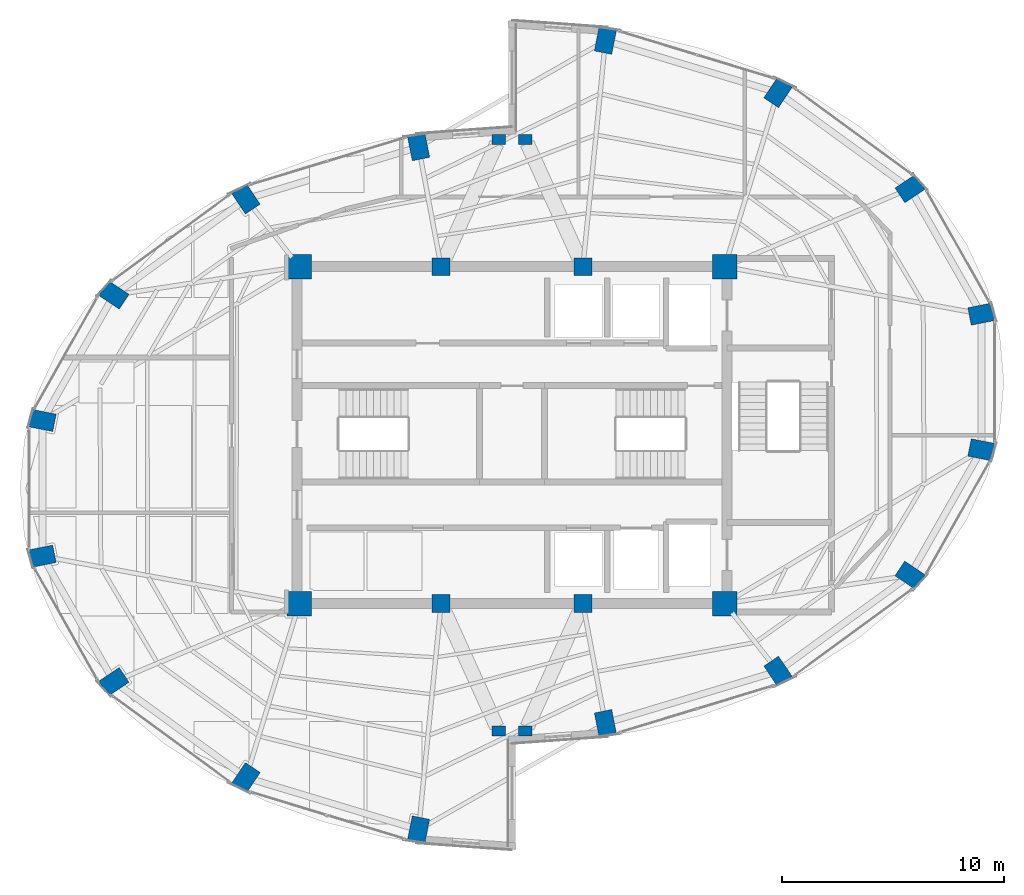
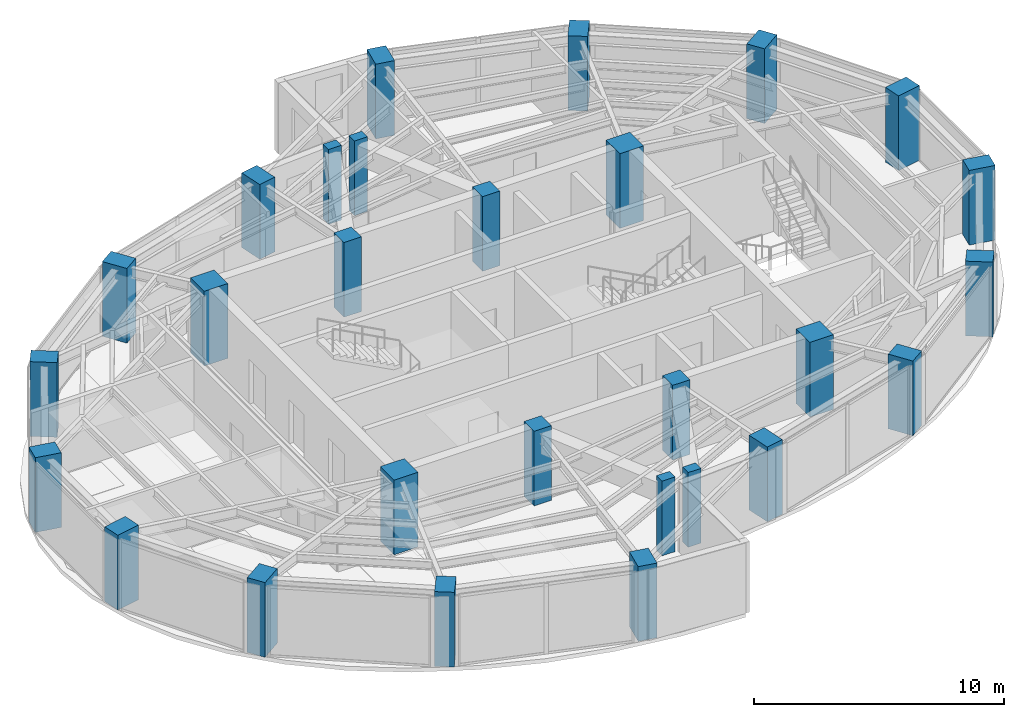
# One storey, part 1 of 22: 28 columns.
"""IFC4 building model written with IfcOpenShell, lengths in metres."""

from ifc_helpers import new_model, si_unit, direction, frame, origin, origin_2d, place, context, subcontext, project, spatial, rectangle, extrude, material, material_profile, profile_set, type_object, element, save


model = new_model("IFC4")

# Units and contexts
model_context = context("Model", 3, precision=1e-05, world=origin(), true_north=direction((0.0, 1.0)))
body_context = subcontext(model_context, "Body", "Model", "MODEL_VIEW")
ifc_project = project(units=[si_unit("LENGTHUNIT", "METRE"), si_unit("AREAUNIT", "SQUARE_METRE"), si_unit("VOLUMEUNIT", "CUBIC_METRE"), si_unit("PLANEANGLEUNIT", "RADIAN"), si_unit("MASSUNIT", "GRAM", prefix="KILO")], contexts=[model_context])

# Site, building, storey
site_placement = place(None, origin())
site = spatial("IfcSite", under=ifc_project, at=site_placement, CompositionType="ELEMENT")
building_placement = place(site_placement, origin())
building = spatial("IfcBuilding", under=site, at=building_placement, Name="Lazwardi Medical Tower", CompositionType="ELEMENT")
storey_placement = place(building_placement, frame((0.0, 0.0, 238.60791015625)))
storey = spatial("IfcBuildingStorey", under=building, at=storey_placement, Name="L62", CompositionType="ELEMENT", Elevation=238.60791015625)

# Columns
ifc_material_1 = material(Name="Concrete C80/95", Category="concrete")
ifc_material_profile_1 = material_profile(ifc_material_1, rectangle(XDim=1.10009765625, YDim=1.10009765625, at=origin_2d()), Name="RC 1100x1100")
ifc_profile_set_1 = profile_set([ifc_material_profile_1], Name="Concrete C80/95")
column_type_1 = type_object("IfcColumnType", Name="COL-CC-L", PredefinedType="COLUMN", material=ifc_profile_set_1)
for number, where, z_axis, x_axis, name in (
    (1, (26.39990234375, 20.39990234375, 0.0), (0.0, 0.0, 1.0), (1.0, 0.0, 0.0), "Core column CC-01 CC1 L62"),
    (2, (45.60009765625, 20.39990234375, 0.0), (0.0, 0.0, 1.0), (1.0, 0.0, 0.0), "Core column CC-01 CC4 L62"),
    (3, (45.60009765625, 35.60009765625, 0.0), (0.0, 0.0, 1.0), (1.0, 0.0, 0.0), "Core column CC-01 CC5 L62"),
    (4, (26.39990234375, 35.60009765625, 0.0), (0.0, 0.0, 1.0), (1.0, 0.0, 0.0), "Core column CC-01 CC8 L62"),
):
    element("IfcColumn", number, at=place(storey_placement, frame(where, z_axis=z_axis, x_axis=x_axis)), inside=storey, type_object=column_type_1, Name=name, PredefinedType="COLUMN", context=body_context, shape_type="SweptSolid", body=[
        extrude(rectangle(XDim=1.10009765625, YDim=1.10009765625, at=origin_2d()), origin(), (0.0, 0.0, 1.0), 3.648193359375),
    ])
ifc_material_2 = material(Name="Concrete C60/75", Category="concrete")
ifc_material_profile_2 = material_profile(ifc_material_2, rectangle(XDim=0.800048828125, YDim=0.800048828125, at=origin_2d()), Name="RC 800x800")
ifc_profile_set_2 = profile_set([ifc_material_profile_2], Name="Concrete C60/75")
column_type_2 = type_object("IfcColumnType", Name="COL-CC-U", PredefinedType="COLUMN", material=ifc_profile_set_2)
for number, where, z_axis, x_axis, name in (
    (5, (32.800048828125, 20.39990234375, 0.0), (0.0, 0.0, 1.0), (1.0, 0.0, 0.0), "Core column CC-03 CC2 L62"),
    (6, (39.199951171875, 20.39990234375, 0.0), (0.0, 0.0, 1.0), (1.0, 0.0, 0.0), "Core column CC-03 CC3 L62"),
    (7, (39.199951171875, 35.60009765625, 0.0), (0.0, 0.0, 1.0), (1.0, 0.0, 0.0), "Core column CC-03 CC6 L62"),
    (8, (32.800048828125, 35.60009765625, 0.0), (0.0, 0.0, 1.0), (1.0, 0.0, 0.0), "Core column CC-03 CC7 L62"),
):
    element("IfcColumn", number, at=place(storey_placement, frame(where, z_axis=z_axis, x_axis=x_axis)), inside=storey, type_object=column_type_2, Name=name, PredefinedType="COLUMN", context=body_context, shape_type="SweptSolid", body=[
        extrude(rectangle(XDim=0.800048828125, YDim=0.800048828125, at=origin_2d()), origin(), (0.0, 0.0, 1.0), 3.648193359375),
    ])
ifc_material_profile_3 = material_profile(ifc_material_2, rectangle(XDim=1.10009765625, YDim=0.800048828125, at=origin_2d()), Name="CFT-RECT 1100x800")
ifc_profile_set_3 = profile_set([ifc_material_profile_3], Name="Concrete C60/75")
column_type_3 = type_object("IfcColumnType", Name="COL-MC-Z4", PredefinedType="COLUMN", material=ifc_profile_set_3)
for number, where, z_axis, x_axis, name in (
    (9, (40.214111328125, 15.001708984375, 0.0), (0.0, 0.0, 1.0), (0.195090322016, -0.980785280403, 0.0), "Mega column MC-06 M01 L62"),
    (10, (48.000244140625, 17.345947265625, 0.0), (0.0, 0.0, 1.0), (0.55557023302, -0.831469612303, 0.0), "Mega column MC-06 M02 L62"),
    (11, (53.959716796875, 21.677490234375, 0.0), (0.0, 0.0, 1.0), (0.831469612303, -0.55557023302, 0.0), "Mega column MC-06 M03 L62"),
    (12, (57.18505859375, 27.337158203125, 0.0), (0.0, 0.0, 1.0), (0.980785280403, -0.195090322016, 0.0), "Mega column MC-06 M04 L62"),
    (13, (57.18505859375, 33.462890625, 0.0), (0.0, 0.0, 1.0), (0.980785280403, 0.195090322016, 0.0), "Mega column MC-06 M05 L62"),
    (14, (53.959716796875, 39.12255859375, 0.0), (0.0, 0.0, 1.0), (0.831469612303, 0.55557023302, 0.0), "Mega column MC-06 M06 L62"),
    (15, (48.000244140625, 43.4541015625, 0.0), (0.0, 0.0, 1.0), (0.55557023302, 0.831469612303, 0.0), "Mega column MC-06 M07 L62"),
    (16, (40.214111328125, 45.79833984375, 0.0), (0.0, 0.0, 1.0), (0.195090322016, 0.980785280403, 0.0), "Mega column MC-06 M08 L62"),
    (17, (31.785888671875, 40.998291015625, 0.0), (0.0, 0.0, 1.0), (-0.195090322016, 0.980785280403, 0.0), "Mega column MC-06 M09 L62"),
    (18, (23.999755859375, 38.654052734375, 0.0), (0.0, 0.0, 1.0), (-0.55557023302, 0.831469612303, 0.0), "Mega column MC-06 M10 L62"),
    (19, (18.040283203125, 34.322509765625, 0.0), (0.0, 0.0, 1.0), (-0.831469612303, 0.55557023302, 0.0), "Mega column MC-06 M11 L62"),
    (20, (14.81494140625, 28.662841796875, 0.0), (0.0, 0.0, 1.0), (-0.980785280403, 0.195090322016, 0.0), "Mega column MC-06 M12 L62"),
    (21, (14.81494140625, 22.537109375, 0.0), (0.0, 0.0, 1.0), (-0.980785280403, -0.195090322016, 0.0), "Mega column MC-06 M13 L62"),
    (22, (18.040283203125, 16.87744140625, 0.0), (0.0, 0.0, 1.0), (-0.831469612303, -0.55557023302, 0.0), "Mega column MC-06 M14 L62"),
    (23, (23.999755859375, 12.5458984375, 0.0), (0.0, 0.0, 1.0), (-0.55557023302, -0.831469612303, 0.0), "Mega column MC-06 M15 L62"),
    (24, (31.785888671875, 10.20166015625, 0.0), (0.0, 0.0, 1.0), (-0.195090322016, -0.980785280403, 0.0), "Mega column MC-06 M16 L62"),
):
    element("IfcColumn", number, at=place(storey_placement, frame(where, z_axis=z_axis, x_axis=x_axis)), inside=storey, type_object=column_type_3, Name=name, PredefinedType="COLUMN", context=body_context, shape_type="SweptSolid", body=[
        extrude(rectangle(XDim=1.10009765625, YDim=0.800048828125, at=origin_2d()), origin(), (0.0, 0.0, 1.0), 3.648193359375),
    ])
ifc_material_profile_4 = material_profile(ifc_material_2, rectangle(XDim=0.60009765625, YDim=0.449951171875, at=origin_2d()), Name="RC 600x450")
ifc_profile_set_4 = profile_set([ifc_material_profile_4], Name="Concrete C60/75")
column_type_4 = type_object("IfcColumnType", Name="COL-PL-IW", PredefinedType="PILASTER", material=ifc_profile_set_4)
for number, where, z_axis, x_axis, name in (
    (25, (35.39990234375, 41.35009765625, 0.0), (0.0, 0.0, 1.0), (1.0, 0.0, 0.0), "Iwan pilaster column PL-C1 PL1 L62"),
    (26, (36.60009765625, 41.35009765625, 0.0), (0.0, 0.0, 1.0), (1.0, 0.0, 0.0), "Iwan pilaster column PL-C1 PL2 L62"),
    (27, (35.39990234375, 14.64990234375, 0.0), (0.0, 0.0, 1.0), (1.0, 0.0, 0.0), "Iwan pilaster column PL-C1 PL3 L62"),
    (28, (36.60009765625, 14.64990234375, 0.0), (0.0, 0.0, 1.0), (1.0, 0.0, 0.0), "Iwan pilaster column PL-C1 PL4 L62"),
):
    element("IfcColumn", number, at=place(storey_placement, frame(where, z_axis=z_axis, x_axis=x_axis)), inside=storey, type_object=column_type_4, Name=name, PredefinedType="PILASTER", context=body_context, shape_type="SweptSolid", body=[
        extrude(rectangle(XDim=0.60009765625, YDim=0.449951171875, at=origin_2d()), origin(), (0.0, 0.0, 1.0), 3.648193359375),
    ])

save(model, "model.ifc")
